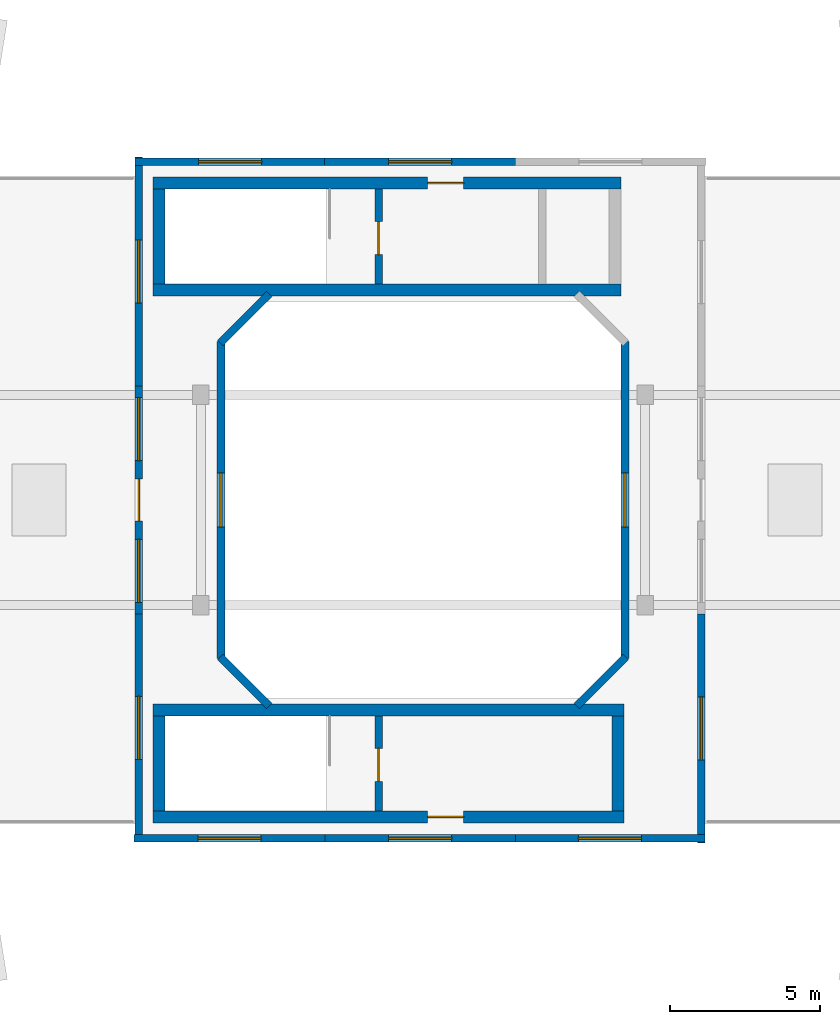
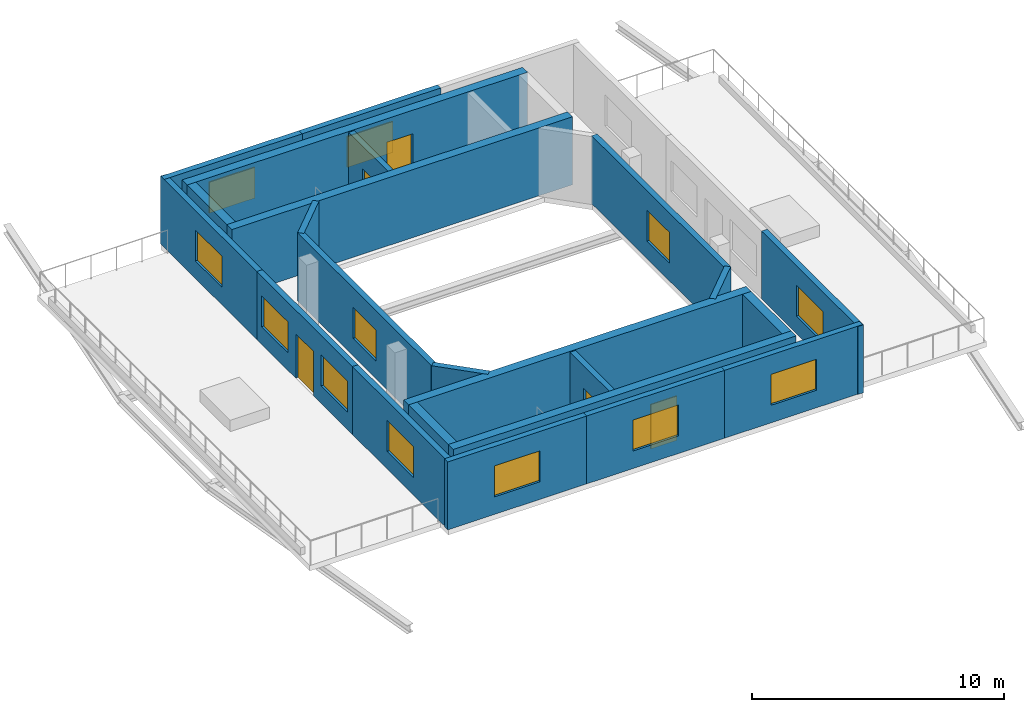
# One storey, part 12 of 18: 23 walls, 12 windows, 5 doors, 17 openings.
"""IFC4 building model written with IfcOpenShell, lengths in metres."""

from ifc_helpers import new_model, si_unit, derived_unit, direction, frame, frame_2d, origin, place, context, subcontext, project, spatial, rectangle, extrude, material, layer, layer_set, type_object, element, fill, save


model = new_model("IFC4")

# Units and contexts
model_context = context("Model", 3, precision=1e-05, world=origin(), true_north=direction((0.0, 1.0)))
body_context = subcontext(model_context, "Body", "Model", "MODEL_VIEW")
ifc_project = project(units=[si_unit("LENGTHUNIT", "METRE"), si_unit("AREAUNIT", "SQUARE_METRE"), si_unit("VOLUMEUNIT", "CUBIC_METRE"), si_unit("PLANEANGLEUNIT", "RADIAN"), si_unit("MASSUNIT", "GRAM", prefix="KILO"), derived_unit("THERMALTRANSMITTANCEUNIT", [(si_unit("POWERUNIT", "WATT"), 1), (si_unit("LENGTHUNIT", "METRE"), -2), (si_unit("THERMODYNAMICTEMPERATUREUNIT", "KELVIN"), -1)])], contexts=[model_context])

# Site, building, storey
site_placement = place(None, origin())
site = spatial("IfcSite", under=ifc_project, at=site_placement, CompositionType="ELEMENT")
building_placement = place(site_placement, origin())
building = spatial("IfcBuilding", under=site, at=building_placement, Name="Kivonza Crest Hotel", CompositionType="ELEMENT")
storey_placement = place(building_placement, frame((0.0, 0.0, 131.0)))
storey = spatial("IfcBuildingStorey", under=building, at=storey_placement, Name="L35", CompositionType="ELEMENT", Elevation=131.0)

# Wall
ifc_material_1 = material(Name="Concrete C50/60", Category="concrete")
ifc_layer_1 = layer(ifc_material_1, 0.39990234375)
ifc_layer_set_1 = layer_set([ifc_layer_1], Name="Concrete C50/60")
wall_type_1 = type_object("IfcWallType", Name="WL-CORE-400", PredefinedType="SHEAR", material=ifc_layer_set_1)
wall_1_placement = place(storey_placement, frame((68.0, 32.0, 0.0), z_axis=(0.0, 0.0, 1.0), x_axis=(1.0, 0.0, 0.0)))
element("IfcWall", 1, at=wall_1_placement, inside=storey, type_object=wall_type_1, Name="Core wall T2-N South L35", PredefinedType="SHEAR", context=body_context, shape_type="SweptSolid", body=[
    extrude(rectangle(XDim=15.60009765625, YDim=0.39990234375, at=frame_2d((7.800048828125, 0.0))), origin(), (0.0, 0.0, 1.0), 3.2900390625),
])

# Wall, opening, door
wall_2_placement = place(storey_placement, frame((68.0, 35.56005859375, 0.0), z_axis=(0.0, 0.0, 1.0), x_axis=(1.0, 0.0, 0.0)))
wall_2 = element("IfcWall", 2, at=wall_2_placement, inside=storey, type_object=wall_type_1, Name="Core wall T2-N North L35", PredefinedType="SHEAR", context=body_context, shape_type="SweptSolid", body=[
    extrude(rectangle(XDim=15.60009765625, YDim=0.39990234375, at=frame_2d((7.800048828125, 0.0))), origin(), (0.0, 0.0, 1.0), 3.2900390625),
])
opening_1_placement = place(wall_2_placement, frame((9.14990234375, 0.0, 0.0)))
opening_1 = element("IfcOpeningElement", 3, at=opening_1_placement, cuts=wall_2, Name="Opening DF-60", PredefinedType="OPENING", context=body_context, shape_type="SweptSolid", body=[
    extrude(rectangle(XDim=1.199951171875, YDim=2.14990234375, at=frame_2d((0.60009765625, 1.074951171875))), frame((0.0, 0.2099609375, 0.0), z_axis=(0.0, -1.0, 0.0), x_axis=(1.0, 0.0, 0.0)), (0.0, 0.0, 1.0), 0.419921875),
])
ifc_material_2 = material(Name="Hardwood timber oak", Category="wood")
door_type_1 = type_object("IfcDoorType", Name="DR-FD60-1200", OperationType="NOTDEFINED", PredefinedType="DOOR", material=ifc_material_2)
door_1_placement = place(opening_1_placement, origin())
door_1 = element("IfcDoor", 4, at=door_1_placement, inside=storey, type_object=door_type_1, Name="L35 T2-N firefighting lobby fire door", OperationType="SINGLE_SWING_RIGHT", OverallHeight=2.14990234375, OverallWidth=1.199951171875, PredefinedType="DOOR", context=body_context, shape_type="SweptSolid", body=[
    extrude(rectangle(XDim=1.199951171875, YDim=2.14990234375, at=frame_2d((0.60009765625, 1.074951171875))), frame((0.0, 0.02490234375, 0.0), z_axis=(0.0, -1.0, 0.0), x_axis=(1.0, 0.0, 0.0)), (0.0, 0.0, 1.0), 0.050048828125),
])
fill(opening_1, door_1)

# Wall
wall_3_placement = place(storey_placement, frame((68.199951171875, 32.199951171875, 0.0), z_axis=(0.0, 0.0, 1.0), x_axis=(0.0, 1.0, 0.0)))
element("IfcWall", 5, at=wall_3_placement, inside=storey, type_object=wall_type_1, Name="Core wall T2-N West L35", PredefinedType="SHEAR", context=body_context, shape_type="SweptSolid", body=[
    extrude(rectangle(XDim=3.16015625, YDim=0.39990234375, at=frame_2d((1.580078125, 0.0))), origin(), (0.0, 0.0, 1.0), 3.2900390625),
])

# Wall, opening, door
wall_4_placement = place(storey_placement, frame((68.0, 14.43994140625, 0.0), z_axis=(0.0, 0.0, 1.0), x_axis=(1.0, 0.0, 0.0)))
wall_4 = element("IfcWall", 6, at=wall_4_placement, inside=storey, type_object=wall_type_1, Name="Core wall T2-S South L35", PredefinedType="SHEAR", context=body_context, shape_type="SweptSolid", body=[
    extrude(rectangle(XDim=15.699951171875, YDim=0.39990234375, at=frame_2d((7.85009765625, 0.0))), origin(), (0.0, 0.0, 1.0), 3.2900390625),
])
opening_2_placement = place(wall_4_placement, frame((9.14990234375, 0.0, 0.0)))
opening_2 = element("IfcOpeningElement", 7, at=opening_2_placement, cuts=wall_4, Name="Opening DF-60", PredefinedType="OPENING", context=body_context, shape_type="SweptSolid", body=[
    extrude(rectangle(XDim=1.199951171875, YDim=2.14990234375, at=frame_2d((0.60009765625, 1.074951171875))), frame((0.0, 0.2099609375, 0.0), z_axis=(0.0, -1.0, 0.0), x_axis=(1.0, 0.0, 0.0)), (0.0, 0.0, 1.0), 0.419921875),
])
door_2_placement = place(opening_2_placement, frame((1.199951171875, 0.0, 0.0), z_axis=(0.0, 0.0, 1.0), x_axis=(-1.0, 0.0, 0.0)))
door_2 = element("IfcDoor", 8, at=door_2_placement, inside=storey, type_object=door_type_1, Name="L35 T2-S firefighting lobby fire door", OperationType="SINGLE_SWING_LEFT", OverallHeight=2.14990234375, OverallWidth=1.199951171875, PredefinedType="DOOR", context=body_context, shape_type="SweptSolid", body=[
    extrude(rectangle(XDim=1.199951171875, YDim=2.14990234375, at=frame_2d((0.60009765625, 1.074951171875))), frame((0.0, 0.02490234375, 0.0), z_axis=(0.0, -1.0, 0.0), x_axis=(1.0, 0.0, 0.0)), (0.0, 0.0, 1.0), 0.050048828125),
])
fill(opening_2, door_2)

# Walls
wall_5_placement = place(storey_placement, frame((68.0, 18.0, 0.0), z_axis=(0.0, 0.0, 1.0), x_axis=(1.0, 0.0, 0.0)))
element("IfcWall", 9, at=wall_5_placement, inside=storey, type_object=wall_type_1, Name="Core wall T2-S North L35", PredefinedType="SHEAR", context=body_context, shape_type="SweptSolid", body=[
    extrude(rectangle(XDim=15.699951171875, YDim=0.39990234375, at=frame_2d((7.85009765625, 0.0))), origin(), (0.0, 0.0, 1.0), 3.2900390625),
])
for number, where, z_axis, x_axis, name in (
    (10, (68.199951171875, 14.639892578125, 0.0), (0.0, 0.0, 1.0), (0.0, 1.0, 0.0), "Core wall T2-S West L35"),
    (11, (83.5, 14.639892578125, 0.0), (0.0, 0.0, 1.0), (0.0, 1.0, 0.0), "Core wall T2-S East L35"),
):
    element("IfcWall", number, at=place(storey_placement, frame(where, z_axis=z_axis, x_axis=x_axis)), inside=storey, type_object=wall_type_1, Name=name, PredefinedType="SHEAR", context=body_context, shape_type="SweptSolid", body=[
        extrude(rectangle(XDim=3.16015625, YDim=0.39990234375, at=frame_2d((1.580078125, 0.0))), origin(), (0.0, 0.0, 1.0), 3.2900390625),
    ])

# Wall, opening, window
ifc_material_3 = material(Name="Precast concrete C40/50", Category="concrete")
ifc_layer_2 = layer(ifc_material_3, 0.260009765625)
ifc_layer_set_2 = layer_set([ifc_layer_2], Name="Precast concrete C40/50")
wall_type_2 = type_object("IfcWallType", Name="WL-EXT-260", PredefinedType="STANDARD", material=ifc_layer_set_2)
wall_6_placement = place(storey_placement, frame((67.375, 13.72998046875, 0.0), z_axis=(0.0, 0.0, 1.0), x_axis=(1.0, 0.0, 0.0)))
wall_6 = element("IfcWall", 12, at=wall_6_placement, inside=storey, type_object=wall_type_2, Name="L35 T2PAV exterior insulated wall 1", PredefinedType="STANDARD", context=body_context, shape_type="SweptSolid", body=[
    extrude(rectangle(XDim=6.365966796875, YDim=0.260009765625, at=frame_2d((3.18310546875, 0.0))), origin(), (0.0, 0.0, 1.0), 3.2900390625),
])
opening_3_placement = place(wall_6_placement, frame((2.133056640625, 0.0, 0.85009765625)))
opening_3 = element("IfcOpeningElement", 13, at=opening_3_placement, cuts=wall_6, Name="Opening WN-04", PredefinedType="OPENING", context=body_context, shape_type="SweptSolid", body=[
    extrude(rectangle(XDim=2.10009765625, YDim=1.5, at=frame_2d((1.050048828125, 0.75))), frame((0.0, 0.14013671875, 0.0), z_axis=(0.0, -1.0, 0.0), x_axis=(1.0, 0.0, 0.0)), (0.0, 0.0, 1.0), 0.280029296875),
])
ifc_material_4 = material(Name="Thermally broken bronze aluminium and low-E double glazing", Category="aluminium")
window_type_1 = type_object("IfcWindowType", Name="WN-210x150", PartitioningType="DOUBLE_PANEL_VERTICAL", PredefinedType="WINDOW", material=ifc_material_4)
window_1_placement = place(opening_3_placement, origin())
window_1 = element("IfcWindow", 14, at=window_1_placement, inside=storey, type_object=window_type_1, Name="L35 T2PAV facade window 1", OverallHeight=1.5, OverallWidth=2.10009765625, PartitioningType="SINGLE_PANEL", PredefinedType="WINDOW", context=body_context, shape_type="SweptSolid", body=[
    extrude(rectangle(XDim=2.10009765625, YDim=1.5, at=frame_2d((1.050048828125, 0.75))), frame((0.0, 0.030029296875, 0.0), z_axis=(0.0, -1.0, 0.0), x_axis=(1.0, 0.0, 0.0)), (0.0, 0.0, 1.0), 0.06005859375),
])
fill(opening_3, window_1)

wall_7_placement = place(storey_placement, frame((73.72509765625, 13.72998046875, 0.0), z_axis=(0.0, 0.0, 1.0), x_axis=(1.0, 0.0, 0.0)))
wall_7 = element("IfcWall", 15, at=wall_7_placement, inside=storey, type_object=wall_type_2, Name="L35 T2PAV exterior insulated wall 2", PredefinedType="STANDARD", context=body_context, shape_type="SweptSolid", body=[
    extrude(rectangle(XDim=6.349853515625, YDim=0.260009765625, at=frame_2d((3.1748046875, 0.0))), origin(), (0.0, 0.0, 1.0), 3.2900390625),
])
opening_4_placement = place(wall_7_placement, frame((2.125, 0.0, 0.85009765625)))
opening_4 = element("IfcOpeningElement", 16, at=opening_4_placement, cuts=wall_7, Name="Opening WN-04", PredefinedType="OPENING", context=body_context, shape_type="SweptSolid", body=[
    extrude(rectangle(XDim=2.10009765625, YDim=1.5, at=frame_2d((1.050048828125, 0.75))), frame((0.0, 0.14013671875, 0.0), z_axis=(0.0, -1.0, 0.0), x_axis=(1.0, 0.0, 0.0)), (0.0, 0.0, 1.0), 0.280029296875),
])
window_2_placement = place(opening_4_placement, origin())
window_2 = element("IfcWindow", 17, at=window_2_placement, inside=storey, type_object=window_type_1, Name="L35 T2PAV facade window 2", OverallHeight=1.5, OverallWidth=2.10009765625, PartitioningType="SINGLE_PANEL", PredefinedType="WINDOW", context=body_context, shape_type="SweptSolid", body=[
    extrude(rectangle(XDim=2.10009765625, YDim=1.5, at=frame_2d((1.050048828125, 0.75))), frame((0.0, 0.030029296875, 0.0), z_axis=(0.0, -1.0, 0.0), x_axis=(1.0, 0.0, 0.0)), (0.0, 0.0, 1.0), 0.06005859375),
])
fill(opening_4, window_2)

wall_8_placement = place(storey_placement, frame((80.05908203125, 13.72998046875, 0.0), z_axis=(0.0, 0.0, 1.0), x_axis=(1.0, 0.0, 0.0)))
wall_8 = element("IfcWall", 18, at=wall_8_placement, inside=storey, type_object=wall_type_2, Name="L35 T2PAV exterior insulated wall 3", PredefinedType="STANDARD", context=body_context, shape_type="SweptSolid", body=[
    extrude(rectangle(XDim=6.330810546875, YDim=0.260009765625, at=frame_2d((3.16552734375, 0.0))), origin(), (0.0, 0.0, 1.0), 3.2900390625),
])
opening_5_placement = place(wall_8_placement, frame((2.115966796875, 0.0, 0.85009765625)))
opening_5 = element("IfcOpeningElement", 19, at=opening_5_placement, cuts=wall_8, Name="Opening WN-04", PredefinedType="OPENING", context=body_context, shape_type="SweptSolid", body=[
    extrude(rectangle(XDim=2.10009765625, YDim=1.5, at=frame_2d((1.050048828125, 0.75))), frame((0.0, 0.14013671875, 0.0), z_axis=(0.0, -1.0, 0.0), x_axis=(1.0, 0.0, 0.0)), (0.0, 0.0, 1.0), 0.280029296875),
])
window_3_placement = place(opening_5_placement, origin())
window_3 = element("IfcWindow", 20, at=window_3_placement, inside=storey, type_object=window_type_1, Name="L35 T2PAV facade window 3", OverallHeight=1.5, OverallWidth=2.10009765625, PartitioningType="SINGLE_PANEL", PredefinedType="WINDOW", context=body_context, shape_type="SweptSolid", body=[
    extrude(rectangle(XDim=2.10009765625, YDim=1.5, at=frame_2d((1.050048828125, 0.75))), frame((0.0, 0.030029296875, 0.0), z_axis=(0.0, -1.0, 0.0), x_axis=(1.0, 0.0, 0.0)), (0.0, 0.0, 1.0), 0.06005859375),
])
fill(opening_5, window_3)

wall_9_placement = place(storey_placement, frame((86.27001953125, 13.574951171875, 0.0), z_axis=(0.0, 0.0, 1.0), x_axis=(0.0, 1.0, 0.0)))
wall_9 = element("IfcWall", 21, at=wall_9_placement, inside=storey, type_object=wall_type_2, Name="L35 T2PAV exterior insulated wall 4", PredefinedType="STANDARD", context=body_context, shape_type="SweptSolid", body=[
    extrude(rectangle(XDim=7.633056640625, YDim=0.260009765625, at=frame_2d((3.81640625, 0.0))), origin(), (0.0, 0.0, 1.0), 3.2900390625),
])
opening_6_placement = place(wall_9_placement, frame((2.76611328125, 0.0, 0.85009765625)))
opening_6 = element("IfcOpeningElement", 22, at=opening_6_placement, cuts=wall_9, Name="Opening WN-04", PredefinedType="OPENING", context=body_context, shape_type="SweptSolid", body=[
    extrude(rectangle(XDim=2.10009765625, YDim=1.5, at=frame_2d((1.050048828125, 0.75))), frame((0.0, 0.14013671875, 0.0), z_axis=(0.0, -1.0, 0.0), x_axis=(1.0, 0.0, 0.0)), (0.0, 0.0, 1.0), 0.280029296875),
])
window_4_placement = place(opening_6_placement, origin())
window_4 = element("IfcWindow", 23, at=window_4_placement, inside=storey, type_object=window_type_1, Name="L35 T2PAV facade window 4", OverallHeight=1.5, OverallWidth=2.10009765625, PartitioningType="SINGLE_PANEL", PredefinedType="WINDOW", context=body_context, shape_type="SweptSolid", body=[
    extrude(rectangle(XDim=2.10009765625, YDim=1.5, at=frame_2d((1.050048828125, 0.75))), frame((0.0, 0.030029296875, 0.0), z_axis=(0.0, -1.0, 0.0), x_axis=(1.0, 0.0, 0.0)), (0.0, 0.0, 1.0), 0.06005859375),
])
fill(opening_6, window_4)

wall_10_placement = place(storey_placement, frame((80.074951171875, 36.27001953125, 0.0), z_axis=(0.0, 0.0, 1.0), x_axis=(-1.0, 0.0, 0.0)))
wall_10 = element("IfcWall", 24, at=wall_10_placement, inside=storey, type_object=wall_type_2, Name="L35 T2PAV exterior insulated wall 8", PredefinedType="STANDARD", context=body_context, shape_type="SweptSolid", body=[
    extrude(rectangle(XDim=6.349853515625, YDim=0.260009765625, at=frame_2d((3.1748046875, 0.0))), origin(), (0.0, 0.0, 1.0), 3.2900390625),
])
opening_7_placement = place(wall_10_placement, frame((2.125, 0.0, 0.85009765625)))
opening_7 = element("IfcOpeningElement", 25, at=opening_7_placement, cuts=wall_10, Name="Opening WN-04", PredefinedType="OPENING", context=body_context, shape_type="SweptSolid", body=[
    extrude(rectangle(XDim=2.10009765625, YDim=1.5, at=frame_2d((1.050048828125, 0.75))), frame((0.0, 0.14013671875, 0.0), z_axis=(0.0, -1.0, 0.0), x_axis=(1.0, 0.0, 0.0)), (0.0, 0.0, 1.0), 0.280029296875),
])
window_5_placement = place(opening_7_placement, origin())
window_5 = element("IfcWindow", 26, at=window_5_placement, inside=storey, type_object=window_type_1, Name="L35 T2PAV facade window 8", OverallHeight=1.5, OverallWidth=2.10009765625, PartitioningType="SINGLE_PANEL", PredefinedType="WINDOW", context=body_context, shape_type="SweptSolid", body=[
    extrude(rectangle(XDim=2.10009765625, YDim=1.5, at=frame_2d((1.050048828125, 0.75))), frame((0.0, 0.030029296875, 0.0), z_axis=(0.0, -1.0, 0.0), x_axis=(1.0, 0.0, 0.0)), (0.0, 0.0, 1.0), 0.06005859375),
])
fill(opening_7, window_5)

wall_11_placement = place(storey_placement, frame((73.740966796875, 36.27001953125, 0.0), z_axis=(0.0, 0.0, 1.0), x_axis=(-1.0, 0.0, 0.0)))
wall_11 = element("IfcWall", 27, at=wall_11_placement, inside=storey, type_object=wall_type_2, Name="L35 T2PAV exterior insulated wall 9", PredefinedType="STANDARD", context=body_context, shape_type="SweptSolid", body=[
    extrude(rectangle(XDim=6.3310546875, YDim=0.260009765625, at=frame_2d((3.16552734375, 0.0))), origin(), (0.0, 0.0, 1.0), 3.2900390625),
])
opening_8_placement = place(wall_11_placement, frame((2.115966796875, 0.0, 0.85009765625)))
opening_8 = element("IfcOpeningElement", 28, at=opening_8_placement, cuts=wall_11, Name="Opening WN-04", PredefinedType="OPENING", context=body_context, shape_type="SweptSolid", body=[
    extrude(rectangle(XDim=2.10009765625, YDim=1.5, at=frame_2d((1.050048828125, 0.75))), frame((0.0, 0.14013671875, 0.0), z_axis=(0.0, -1.0, 0.0), x_axis=(1.0, 0.0, 0.0)), (0.0, 0.0, 1.0), 0.280029296875),
])
window_6_placement = place(opening_8_placement, origin())
window_6 = element("IfcWindow", 29, at=window_6_placement, inside=storey, type_object=window_type_1, Name="L35 T2PAV facade window 9", OverallHeight=1.5, OverallWidth=2.10009765625, PartitioningType="SINGLE_PANEL", PredefinedType="WINDOW", context=body_context, shape_type="SweptSolid", body=[
    extrude(rectangle(XDim=2.10009765625, YDim=1.5, at=frame_2d((1.050048828125, 0.75))), frame((0.0, 0.030029296875, 0.0), z_axis=(0.0, -1.0, 0.0), x_axis=(1.0, 0.0, 0.0)), (0.0, 0.0, 1.0), 0.06005859375),
])
fill(opening_8, window_6)

wall_12_placement = place(storey_placement, frame((67.530029296875, 36.425048828125, 0.0), z_axis=(0.0, 0.0, 1.0), x_axis=(0.0, -1.0, 0.0)))
wall_12 = element("IfcWall", 30, at=wall_12_placement, inside=storey, type_object=wall_type_2, Name="L35 T2PAV exterior insulated wall 10", PredefinedType="STANDARD", context=body_context, shape_type="SweptSolid", body=[
    extrude(rectangle(XDim=7.633056640625, YDim=0.260009765625, at=frame_2d((3.81640625, 0.0))), origin(), (0.0, 0.0, 1.0), 3.2900390625),
])
opening_9_placement = place(wall_12_placement, frame((2.76611328125, 0.0, 0.85009765625)))
opening_9 = element("IfcOpeningElement", 31, at=opening_9_placement, cuts=wall_12, Name="Opening WN-04", PredefinedType="OPENING", context=body_context, shape_type="SweptSolid", body=[
    extrude(rectangle(XDim=2.10009765625, YDim=1.5, at=frame_2d((1.050048828125, 0.75))), frame((0.0, 0.14013671875, 0.0), z_axis=(0.0, -1.0, 0.0), x_axis=(1.0, 0.0, 0.0)), (0.0, 0.0, 1.0), 0.280029296875),
])
window_7_placement = place(opening_9_placement, origin())
window_7 = element("IfcWindow", 32, at=window_7_placement, inside=storey, type_object=window_type_1, Name="L35 T2PAV facade window 10", OverallHeight=1.5, OverallWidth=2.10009765625, PartitioningType="SINGLE_PANEL", PredefinedType="WINDOW", context=body_context, shape_type="SweptSolid", body=[
    extrude(rectangle(XDim=2.10009765625, YDim=1.5, at=frame_2d((1.050048828125, 0.75))), frame((0.0, 0.030029296875, 0.0), z_axis=(0.0, -1.0, 0.0), x_axis=(1.0, 0.0, 0.0)), (0.0, 0.0, 1.0), 0.06005859375),
])
fill(opening_9, window_7)

# Wall, openings, door, windows
wall_13_placement = place(storey_placement, frame((67.530029296875, 28.80810546875, 0.0), z_axis=(0.0, 0.0, 1.0), x_axis=(0.0, -1.0, 0.0)))
wall_13 = element("IfcWall", 33, at=wall_13_placement, inside=storey, type_object=wall_type_2, Name="L35 T2PAV exterior insulated wall 11", PredefinedType="STANDARD", context=body_context, shape_type="SweptSolid", body=[
    extrude(rectangle(XDim=7.6162109375, YDim=0.260009765625, at=frame_2d((3.80810546875, 0.0))), origin(), (0.0, 0.0, 1.0), 3.2900390625),
])
opening_10_placement = place(wall_13_placement, frame((3.10791015625, 0.0, 0.0)))
opening_10 = element("IfcOpeningElement", 34, at=opening_10_placement, cuts=wall_13, Name="Opening DT-140", PredefinedType="OPENING", context=body_context, shape_type="SweptSolid", body=[
    extrude(rectangle(XDim=1.39990234375, YDim=2.14990234375, at=frame_2d((0.699951171875, 1.074951171875))), frame((0.0, 0.14013671875, 0.0), z_axis=(0.0, -1.0, 0.0), x_axis=(1.0, 0.0, 0.0)), (0.0, 0.0, 1.0), 0.280029296875),
])
opening_11_placement = place(wall_13_placement, frame((0.39892578125, 0.0, 0.85009765625)))
opening_11 = element("IfcOpeningElement", 35, at=opening_11_placement, cuts=wall_13, Name="Opening WN-04", PredefinedType="OPENING", context=body_context, shape_type="SweptSolid", body=[
    extrude(rectangle(XDim=2.10009765625, YDim=1.5, at=frame_2d((1.050048828125, 0.75))), frame((0.0, 0.14013671875, 0.0), z_axis=(0.0, -1.0, 0.0), x_axis=(1.0, 0.0, 0.0)), (0.0, 0.0, 1.0), 0.280029296875),
])
opening_12_placement = place(wall_13_placement, frame((5.116943359375, 0.0, 0.85009765625)))
opening_12 = element("IfcOpeningElement", 36, at=opening_12_placement, cuts=wall_13, Name="Opening WN-04", PredefinedType="OPENING", context=body_context, shape_type="SweptSolid", body=[
    extrude(rectangle(XDim=2.10009765625, YDim=1.5, at=frame_2d((1.050048828125, 0.75))), frame((0.0, 0.14013671875, 0.0), z_axis=(0.0, -1.0, 0.0), x_axis=(1.0, 0.0, 0.0)), (0.0, 0.0, 1.0), 0.280029296875),
])
ifc_material_5 = material(Name="Anodised bronze aluminium and laminated safety glass", Category="aluminium")
door_type_2 = type_object("IfcDoorType", Name="DR-TERR-1400", OperationType="NOTDEFINED", PredefinedType="DOOR", material=ifc_material_5)
door_3_placement = place(opening_10_placement, frame((1.39990234375, 0.0, 0.0), z_axis=(0.0, 0.0, 1.0), x_axis=(-1.0, 0.0, 0.0)))
door_3 = element("IfcDoor", 37, at=door_3_placement, inside=storey, type_object=door_type_2, Name="L35 Companion West rooftop planted terrace access door", OperationType="DOUBLE_DOOR_SINGLE_SWING", OverallHeight=2.14990234375, OverallWidth=1.39990234375, PredefinedType="DOOR", context=body_context, shape_type="SweptSolid", body=[
    extrude(rectangle(XDim=1.39990234375, YDim=2.14990234375, at=frame_2d((0.699951171875, 1.074951171875))), frame((0.0, 0.02490234375, 0.0), z_axis=(0.0, -1.0, 0.0), x_axis=(1.0, 0.0, 0.0)), (0.0, 0.0, 1.0), 0.050048828125),
])
fill(opening_10, door_3)
window_8_placement = place(opening_11_placement, origin())
window_8 = element("IfcWindow", 38, at=window_8_placement, inside=storey, type_object=window_type_1, Name="L35 T2PAV facade window 11 bay 1", OverallHeight=1.5, OverallWidth=2.10009765625, PartitioningType="SINGLE_PANEL", PredefinedType="WINDOW", context=body_context, shape_type="SweptSolid", body=[
    extrude(rectangle(XDim=2.10009765625, YDim=1.5, at=frame_2d((1.050048828125, 0.75))), frame((0.0, 0.030029296875, 0.0), z_axis=(0.0, -1.0, 0.0), x_axis=(1.0, 0.0, 0.0)), (0.0, 0.0, 1.0), 0.06005859375),
])
fill(opening_11, window_8)
window_9_placement = place(opening_12_placement, origin())
window_9 = element("IfcWindow", 39, at=window_9_placement, inside=storey, type_object=window_type_1, Name="L35 T2PAV facade window 11 bay 2", OverallHeight=1.5, OverallWidth=2.10009765625, PartitioningType="SINGLE_PANEL", PredefinedType="WINDOW", context=body_context, shape_type="SweptSolid", body=[
    extrude(rectangle(XDim=2.10009765625, YDim=1.5, at=frame_2d((1.050048828125, 0.75))), frame((0.0, 0.030029296875, 0.0), z_axis=(0.0, -1.0, 0.0), x_axis=(1.0, 0.0, 0.0)), (0.0, 0.0, 1.0), 0.06005859375),
])
fill(opening_12, window_9)

# Wall, opening, window
wall_14_placement = place(storey_placement, frame((67.530029296875, 21.2080078125, 0.0), z_axis=(0.0, 0.0, 1.0), x_axis=(0.0, -1.0, 0.0)))
wall_14 = element("IfcWall", 40, at=wall_14_placement, inside=storey, type_object=wall_type_2, Name="L35 T2PAV exterior insulated wall 12", PredefinedType="STANDARD", context=body_context, shape_type="SweptSolid", body=[
    extrude(rectangle(XDim=7.597900390625, YDim=0.260009765625, at=frame_2d((3.798828125, 0.0))), origin(), (0.0, 0.0, 1.0), 3.2900390625),
])
opening_13_placement = place(wall_14_placement, frame((2.7490234375, 0.0, 0.85009765625)))
opening_13 = element("IfcOpeningElement", 41, at=opening_13_placement, cuts=wall_14, Name="Opening WN-04", PredefinedType="OPENING", context=body_context, shape_type="SweptSolid", body=[
    extrude(rectangle(XDim=2.10009765625, YDim=1.5, at=frame_2d((1.050048828125, 0.75))), frame((0.0, 0.14013671875, 0.0), z_axis=(0.0, -1.0, 0.0), x_axis=(1.0, 0.0, 0.0)), (0.0, 0.0, 1.0), 0.280029296875),
])
window_10_placement = place(opening_13_placement, origin())
window_10 = element("IfcWindow", 42, at=window_10_placement, inside=storey, type_object=window_type_1, Name="L35 T2PAV facade window 12", OverallHeight=1.5, OverallWidth=2.10009765625, PartitioningType="SINGLE_PANEL", PredefinedType="WINDOW", context=body_context, shape_type="SweptSolid", body=[
    extrude(rectangle(XDim=2.10009765625, YDim=1.5, at=frame_2d((1.050048828125, 0.75))), frame((0.0, 0.030029296875, 0.0), z_axis=(0.0, -1.0, 0.0), x_axis=(1.0, 0.0, 0.0)), (0.0, 0.0, 1.0), 0.06005859375),
])
fill(opening_13, window_10)

# Wall
wall_15_placement = place(storey_placement, frame((82.1220703125, 18.137939453125, 0.0), z_axis=(0.0, 0.0, 1.0), x_axis=(0.707106781187, 0.707106781187, 0.0)))
element("IfcWall", 43, at=wall_15_placement, inside=storey, type_object=wall_type_2, Name="L35 T2PAV light-well exterior wall 2", PredefinedType="STANDARD", context=body_context, shape_type="SweptSolid", body=[
    extrude(rectangle(XDim=2.310791015625, YDim=0.260009765625, at=frame_2d((1.1552734375, 0.0))), origin(), (0.0, 0.0, 1.0), 3.2900390625),
])

# Wall, opening, window
wall_16_placement = place(storey_placement, frame((83.72998046875, 19.7099609375, 0.0), z_axis=(0.0, 0.0, 1.0), x_axis=(0.0, 1.0, 0.0)))
wall_16 = element("IfcWall", 44, at=wall_16_placement, inside=storey, type_object=wall_type_2, Name="L35 T2PAV light-well exterior wall 3", PredefinedType="STANDARD", context=body_context, shape_type="SweptSolid", body=[
    extrude(rectangle(XDim=10.580078125, YDim=0.260009765625, at=frame_2d((5.2900390625, 0.0))), origin(), (0.0, 0.0, 1.0), 3.2900390625),
])
opening_14_placement = place(wall_16_placement, frame((4.389892578125, 0.0, 0.85009765625)))
opening_14 = element("IfcOpeningElement", 45, at=opening_14_placement, cuts=wall_16, Name="Opening WN-03", PredefinedType="OPENING", context=body_context, shape_type="SweptSolid", body=[
    extrude(rectangle(XDim=1.800048828125, YDim=1.5, at=frame_2d((0.89990234375, 0.75))), frame((0.0, 0.14013671875, 0.0), z_axis=(0.0, -1.0, 0.0), x_axis=(1.0, 0.0, 0.0)), (0.0, 0.0, 1.0), 0.280029296875),
])
window_type_2 = type_object("IfcWindowType", Name="WN-180x150", PartitioningType="DOUBLE_PANEL_VERTICAL", PredefinedType="WINDOW", material=ifc_material_4)
window_11_placement = place(opening_14_placement, origin())
window_11 = element("IfcWindow", 46, at=window_11_placement, inside=storey, type_object=window_type_2, Name="L35 T2PAV light-well window 3", OverallHeight=1.5, OverallWidth=1.800048828125, PartitioningType="SINGLE_PANEL", PredefinedType="WINDOW", context=body_context, shape_type="SweptSolid", body=[
    extrude(rectangle(XDim=1.800048828125, YDim=1.5, at=frame_2d((0.89990234375, 0.75))), frame((0.0, 0.030029296875, 0.0), z_axis=(0.0, -1.0, 0.0), x_axis=(1.0, 0.0, 0.0)), (0.0, 0.0, 1.0), 0.06005859375),
])
fill(opening_14, window_11)

# Wall
wall_17_placement = place(storey_placement, frame((71.8779296875, 31.862060546875, 0.0), z_axis=(0.0, 0.0, 1.0), x_axis=(-0.707106781187, -0.707106781187, 0.0)))
element("IfcWall", 47, at=wall_17_placement, inside=storey, type_object=wall_type_2, Name="L35 T2PAV light-well exterior wall 6", PredefinedType="STANDARD", context=body_context, shape_type="SweptSolid", body=[
    extrude(rectangle(XDim=2.310791015625, YDim=0.260009765625, at=frame_2d((1.1552734375, 0.0))), origin(), (0.0, 0.0, 1.0), 3.2900390625),
])

# Wall, opening, window
wall_18_placement = place(storey_placement, frame((70.27001953125, 30.2900390625, 0.0), z_axis=(0.0, 0.0, 1.0), x_axis=(0.0, -1.0, 0.0)))
wall_18 = element("IfcWall", 48, at=wall_18_placement, inside=storey, type_object=wall_type_2, Name="L35 T2PAV light-well exterior wall 7", PredefinedType="STANDARD", context=body_context, shape_type="SweptSolid", body=[
    extrude(rectangle(XDim=10.580078125, YDim=0.260009765625, at=frame_2d((5.2900390625, 0.0))), origin(), (0.0, 0.0, 1.0), 3.2900390625),
])
opening_15_placement = place(wall_18_placement, frame((4.389892578125, 0.0, 0.85009765625)))
opening_15 = element("IfcOpeningElement", 49, at=opening_15_placement, cuts=wall_18, Name="Opening WN-03", PredefinedType="OPENING", context=body_context, shape_type="SweptSolid", body=[
    extrude(rectangle(XDim=1.800048828125, YDim=1.5, at=frame_2d((0.89990234375, 0.75))), frame((0.0, 0.14013671875, 0.0), z_axis=(0.0, -1.0, 0.0), x_axis=(1.0, 0.0, 0.0)), (0.0, 0.0, 1.0), 0.280029296875),
])
window_12_placement = place(opening_15_placement, origin())
window_12 = element("IfcWindow", 50, at=window_12_placement, inside=storey, type_object=window_type_2, Name="L35 T2PAV light-well window 7", OverallHeight=1.5, OverallWidth=1.800048828125, PartitioningType="SINGLE_PANEL", PredefinedType="WINDOW", context=body_context, shape_type="SweptSolid", body=[
    extrude(rectangle(XDim=1.800048828125, YDim=1.5, at=frame_2d((0.89990234375, 0.75))), frame((0.0, 0.030029296875, 0.0), z_axis=(0.0, -1.0, 0.0), x_axis=(1.0, 0.0, 0.0)), (0.0, 0.0, 1.0), 0.06005859375),
])
fill(opening_15, window_12)

# Wall
wall_19_placement = place(storey_placement, frame((70.243896484375, 19.77197265625, 0.0), z_axis=(0.0, 0.0, 1.0), x_axis=(0.707106781187, -0.707106781187, 0.0)))
element("IfcWall", 51, at=wall_19_placement, inside=storey, type_object=wall_type_2, Name="L35 T2PAV light-well exterior wall 8", PredefinedType="STANDARD", context=body_context, shape_type="SweptSolid", body=[
    extrude(rectangle(XDim=2.310791015625, YDim=0.260009765625, at=frame_2d((1.1552734375, 0.0))), origin(), (0.0, 0.0, 1.0), 3.2900390625),
])

# Wall, opening, door
ifc_layer_3 = layer(ifc_material_1, 0.25)
ifc_layer_set_3 = layer_set([ifc_layer_3], Name="Concrete C50/60")
wall_type_3 = type_object("IfcWallType", Name="WL-SHAFT-250", PredefinedType="STANDARD", material=ifc_layer_set_3)
wall_20_placement = place(storey_placement, frame((75.52490234375, 32.199951171875, 0.0), z_axis=(0.0, 0.0, 1.0), x_axis=(0.0, 1.0, 0.0)))
wall_20 = element("IfcWall", 52, at=wall_20_placement, inside=storey, type_object=wall_type_3, Name="Core shaft wall T2-N STAIR L35", PredefinedType="STANDARD", context=body_context, shape_type="SweptSolid", body=[
    extrude(rectangle(XDim=3.16015625, YDim=0.25, at=frame_2d((1.580078125, 0.0))), origin(), (0.0, 0.0, 1.0), 3.25),
])
opening_16_placement = place(wall_20_placement, frame((0.97998046875, 0.0, 0.0)))
opening_16 = element("IfcOpeningElement", 53, at=opening_16_placement, cuts=wall_20, Name="Opening DF-120", PredefinedType="OPENING", context=body_context, shape_type="SweptSolid", body=[
    extrude(rectangle(XDim=1.10009765625, YDim=2.14990234375, at=frame_2d((0.550048828125, 1.074951171875))), frame((0.0, 0.135009765625, 0.0), z_axis=(0.0, -1.0, 0.0), x_axis=(1.0, 0.0, 0.0)), (0.0, 0.0, 1.0), 0.27001953125),
])
ifc_material_6 = material(Name="Galvanised steel", Category="steel")
door_type_3 = type_object("IfcDoorType", Name="DR-FD120-1100", OperationType="NOTDEFINED", PredefinedType="DOOR", material=ifc_material_6)
door_4_placement = place(opening_16_placement, frame((1.10009765625, 0.0, 0.0), z_axis=(0.0, 0.0, 1.0), x_axis=(-1.0, 0.0, 0.0)))
door_4 = element("IfcDoor", 54, at=door_4_placement, inside=storey, type_object=door_type_3, Name="L35 T2-N stair fire door", OperationType="SINGLE_SWING_LEFT", OverallHeight=2.14990234375, OverallWidth=1.10009765625, PredefinedType="DOOR", context=body_context, shape_type="SweptSolid", body=[
    extrude(rectangle(XDim=1.10009765625, YDim=2.14990234375, at=frame_2d((0.550048828125, 1.074951171875))), frame((0.0, 0.02490234375, 0.0), z_axis=(0.0, -1.0, 0.0), x_axis=(1.0, 0.0, 0.0)), (0.0, 0.0, 1.0), 0.050048828125),
])
fill(opening_16, door_4)

wall_21_placement = place(storey_placement, frame((75.52490234375, 14.639892578125, 0.0), z_axis=(0.0, 0.0, 1.0), x_axis=(0.0, 1.0, 0.0)))
wall_21 = element("IfcWall", 55, at=wall_21_placement, inside=storey, type_object=wall_type_3, Name="Core shaft wall T2-S STAIR L35", PredefinedType="STANDARD", context=body_context, shape_type="SweptSolid", body=[
    extrude(rectangle(XDim=3.16015625, YDim=0.25, at=frame_2d((1.580078125, 0.0))), origin(), (0.0, 0.0, 1.0), 3.25),
])
opening_17_placement = place(wall_21_placement, frame((0.97998046875, 0.0, 0.0)))
opening_17 = element("IfcOpeningElement", 56, at=opening_17_placement, cuts=wall_21, Name="Opening DF-120", PredefinedType="OPENING", context=body_context, shape_type="SweptSolid", body=[
    extrude(rectangle(XDim=1.10009765625, YDim=2.14990234375, at=frame_2d((0.550048828125, 1.074951171875))), frame((0.0, 0.135009765625, 0.0), z_axis=(0.0, -1.0, 0.0), x_axis=(1.0, 0.0, 0.0)), (0.0, 0.0, 1.0), 0.27001953125),
])
door_5_placement = place(opening_17_placement, frame((1.10009765625, 0.0, 0.0), z_axis=(0.0, 0.0, 1.0), x_axis=(-1.0, 0.0, 0.0)))
door_5 = element("IfcDoor", 57, at=door_5_placement, inside=storey, type_object=door_type_3, Name="L35 T2-S stair fire door", OperationType="SINGLE_SWING_RIGHT", OverallHeight=2.14990234375, OverallWidth=1.10009765625, PredefinedType="DOOR", context=body_context, shape_type="SweptSolid", body=[
    extrude(rectangle(XDim=1.10009765625, YDim=2.14990234375, at=frame_2d((0.550048828125, 1.074951171875))), frame((0.0, 0.02490234375, 0.0), z_axis=(0.0, -1.0, 0.0), x_axis=(1.0, 0.0, 0.0)), (0.0, 0.0, 1.0), 0.050048828125),
])
fill(opening_17, door_5)

save(model, "model.ifc")
